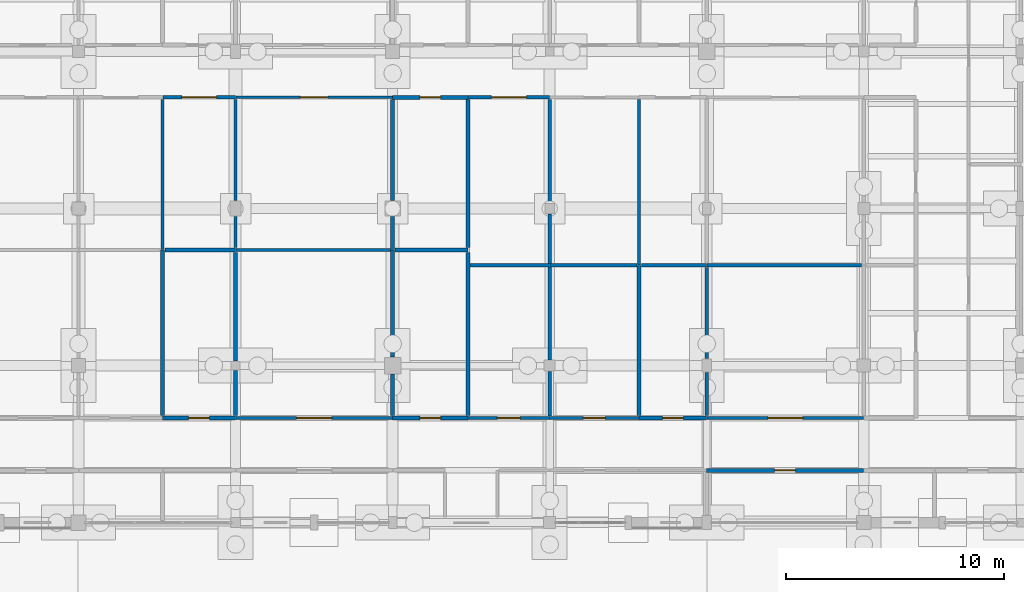
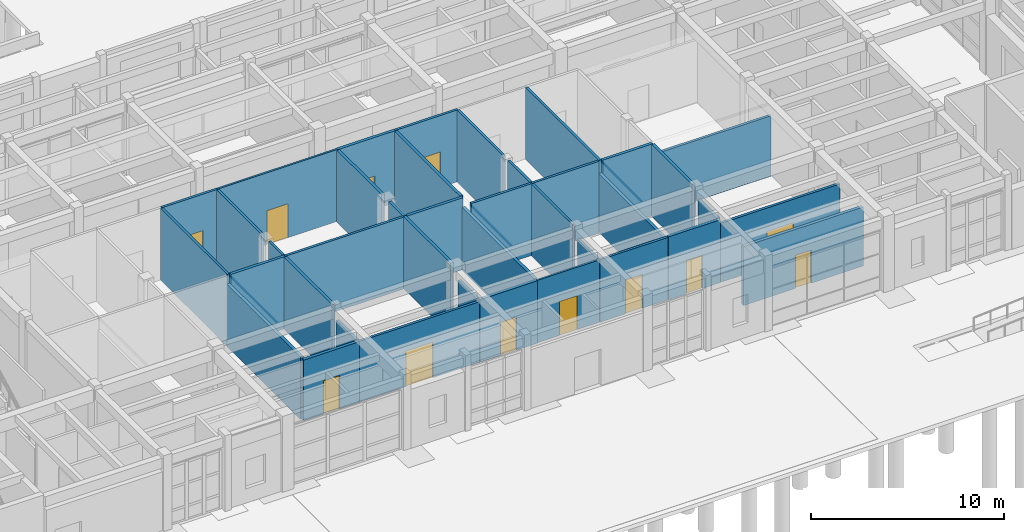
# One storey, part 99 of 143: 39 walls, 12 doors, 12 openings.
"""IFC4 building model written with IfcOpenShell, lengths in metres."""

from ifc_helpers import new_model, si_unit, direction, frame, frame_2d, origin, place, context, subcontext, project, spatial, rectangle, extrude, material, layer, layer_set, type_object, element, fill, save


model = new_model("IFC4")

# Units and contexts
model_context = context("Model", 3, precision=1e-05, world=origin(), true_north=direction((0.0, 1.0)))
body_context = subcontext(model_context, "Body", "Model", "MODEL_VIEW")
ifc_project = project(units=[si_unit("LENGTHUNIT", "METRE"), si_unit("AREAUNIT", "SQUARE_METRE"), si_unit("VOLUMEUNIT", "CUBIC_METRE"), si_unit("PLANEANGLEUNIT", "RADIAN"), si_unit("MASSUNIT", "GRAM", prefix="KILO")], contexts=[model_context])

# Site, building, storey
site_placement = place(None, origin())
site = spatial("IfcSite", under=ifc_project, at=site_placement, CompositionType="ELEMENT")
building_placement = place(site_placement, origin())
building = spatial("IfcBuilding", under=site, at=building_placement, Name="Steenspoor Specialist Clinic", CompositionType="ELEMENT")
storey_placement = place(building_placement, origin())
storey = spatial("IfcBuildingStorey", under=building, at=storey_placement, Name="L00", CompositionType="ELEMENT", Elevation=0.0)

# Wall, opening, door
ifc_material_1 = material(Name="Gypsum acoustic clinical partition", Category="gypsum")
ifc_layer_1 = layer(ifc_material_1, 0.14990234375)
ifc_layer_set_1 = layer_set([ifc_layer_1], Name="Gypsum acoustic clinical partition")
wall_type_1 = type_object("IfcWallType", Name="W-CLIN-150", PredefinedType="PARTITIONING", material=ifc_layer_set_1)
wall_1_placement = place(storey_placement, frame((74.014892578125, 17.85009765625, 0.0), z_axis=(0.0, 0.0, 1.0), x_axis=(1.0, 0.0, 0.0)))
wall_1 = element("IfcWall", 1, at=wall_1_placement, inside=storey, type_object=wall_type_1, Name="Interior Partition IW-V1-L00-0154", PredefinedType="PARTITIONING", context=body_context, shape_type="SweptSolid", body=[
    extrude(rectangle(XDim=7.170166015625, YDim=0.14990234375, at=frame_2d((3.5849609375, 0.0))), origin(), (0.0, 0.0, 1.0), 3.8349609375),
])
opening_1_placement = place(wall_1_placement, frame((2.784912109375, 0.0, 0.0)))
opening_1 = element("IfcOpeningElement", 2, at=opening_1_placement, cuts=wall_1, Name="Opening D0014", PredefinedType="OPENING", context=body_context, shape_type="SweptSolid", body=[
    extrude(rectangle(XDim=1.60009765625, YDim=2.25, at=frame_2d((0.800048828125, 1.125))), frame((0.0, 0.0849609375, 0.0), z_axis=(0.0, -1.0, 0.0), x_axis=(1.0, 0.0, 0.0)), (0.0, 0.0, 1.0), 0.169921875),
])
ifc_material_2 = material(Name="Hygienic HPL clinical timber door", Category="wood")
door_type_1 = type_object("IfcDoorType", Name="DT-PROC-160X225", OperationType="NOTDEFINED", PredefinedType="DOOR", material=ifc_material_2)
door_1_placement = place(opening_1_placement, origin())
door_1 = element("IfcDoor", 3, at=door_1_placement, inside=storey, type_object=door_type_1, Name="Clinical Door D0014", OperationType="SINGLE_SWING_LEFT", OverallHeight=2.25, OverallWidth=1.60009765625, PredefinedType="DOOR", context=body_context, shape_type="SweptSolid", body=[
    extrude(rectangle(XDim=1.60009765625, YDim=2.25, at=frame_2d((0.800048828125, 1.125))), frame((0.0, 0.02490234375, 0.0), z_axis=(0.0, -1.0, 0.0), x_axis=(1.0, 0.0, 0.0)), (0.0, 0.0, 1.0), 0.050048828125),
])
fill(opening_1, door_1)

wall_2_placement = place(storey_placement, frame((95.614990234375, 17.85009765625, 0.0), z_axis=(0.0, 0.0, 1.0), x_axis=(1.0, 0.0, 0.0)))
wall_2 = element("IfcWall", 4, at=wall_2_placement, inside=storey, type_object=wall_type_1, Name="Interior Partition IW-V1-L00-0155", PredefinedType="PARTITIONING", context=body_context, shape_type="SweptSolid", body=[
    extrude(rectangle(XDim=7.169921875, YDim=0.14990234375, at=frame_2d((3.5849609375, 0.0))), origin(), (0.0, 0.0, 1.0), 3.735107421875),
])
opening_2_placement = place(wall_2_placement, frame((2.784912109375, 0.0, 0.0)))
opening_2 = element("IfcOpeningElement", 5, at=opening_2_placement, cuts=wall_2, Name="Opening D0019", PredefinedType="OPENING", context=body_context, shape_type="SweptSolid", body=[
    extrude(rectangle(XDim=1.60009765625, YDim=2.25, at=frame_2d((0.800048828125, 1.125))), frame((0.0, 0.0849609375, 0.0), z_axis=(0.0, -1.0, 0.0), x_axis=(1.0, 0.0, 0.0)), (0.0, 0.0, 1.0), 0.169921875),
])
door_2_placement = place(opening_2_placement, origin())
door_2 = element("IfcDoor", 6, at=door_2_placement, inside=storey, type_object=door_type_1, Name="Clinical Door D0019", OperationType="SINGLE_SWING_RIGHT", OverallHeight=2.25, OverallWidth=1.60009765625, PredefinedType="DOOR", context=body_context, shape_type="SweptSolid", body=[
    extrude(rectangle(XDim=1.60009765625, YDim=2.25, at=frame_2d((0.800048828125, 1.125))), frame((0.0, 0.02490234375, 0.0), z_axis=(0.0, -1.0, 0.0), x_axis=(1.0, 0.0, 0.0)), (0.0, 0.0, 1.0), 0.050048828125),
])
fill(opening_2, door_2)

wall_3_placement = place(storey_placement, frame((84.6650390625, 32.550048828125, 0.0), z_axis=(0.0, 0.0, 1.0), x_axis=(1.0, 0.0, 0.0)))
wall_3 = element("IfcWall", 7, at=wall_3_placement, inside=storey, type_object=wall_type_1, Name="Interior Partition IW-V1-L00-0156", PredefinedType="PARTITIONING", context=body_context, shape_type="SweptSolid", body=[
    extrude(rectangle(XDim=3.73486328125, YDim=0.14990234375, at=frame_2d((1.867431640625, 0.0))), origin(), (0.0, 0.0, 1.0), 4.550048828125),
])
opening_3_placement = place(wall_3_placement, frame((1.0673828125, 0.0, 0.0)))
opening_3 = element("IfcOpeningElement", 8, at=opening_3_placement, cuts=wall_3, Name="Opening D0023", PredefinedType="OPENING", context=body_context, shape_type="SweptSolid", body=[
    extrude(rectangle(XDim=1.60009765625, YDim=2.25, at=frame_2d((0.800048828125, 1.125))), frame((0.0, 0.0849609375, 0.0), z_axis=(0.0, -1.0, 0.0), x_axis=(1.0, 0.0, 0.0)), (0.0, 0.0, 1.0), 0.169921875),
])
door_3_placement = place(opening_3_placement, origin())
door_3 = element("IfcDoor", 9, at=door_3_placement, inside=storey, type_object=door_type_1, Name="Clinical Door D0023", OperationType="SINGLE_SWING_RIGHT", OverallHeight=2.25, OverallWidth=1.60009765625, PredefinedType="DOOR", context=body_context, shape_type="SweptSolid", body=[
    extrude(rectangle(XDim=1.60009765625, YDim=2.25, at=frame_2d((0.800048828125, 1.125))), frame((0.0, 0.02490234375, 0.0), z_axis=(0.0, -1.0, 0.0), x_axis=(1.0, 0.0, 0.0)), (0.0, 0.0, 1.0), 0.050048828125),
])
fill(opening_3, door_3)

wall_4_placement = place(storey_placement, frame((88.39990234375, 17.85009765625, 0.0), z_axis=(0.0, 0.0, 1.0), x_axis=(1.0, 0.0, 0.0)))
wall_4 = element("IfcWall", 10, at=wall_4_placement, inside=storey, type_object=wall_type_1, Name="Interior Partition IW-V1-L00-0173", PredefinedType="PARTITIONING", context=body_context, shape_type="SweptSolid", body=[
    extrude(rectangle(XDim=4.085205078125, YDim=0.14990234375, at=frame_2d((2.04248046875, 0.0))), origin(), (0.0, 0.0, 1.0), 3.955078125),
])
opening_4_placement = place(wall_4_placement, frame((1.54248046875, 0.0, 0.0)))
opening_4 = element("IfcOpeningElement", 11, at=opening_4_placement, cuts=wall_4, Name="Opening D0017", PredefinedType="OPENING", context=body_context, shape_type="SweptSolid", body=[
    extrude(rectangle(XDim=1.0, YDim=2.14990234375, at=frame_2d((0.5, 1.074951171875))), frame((0.0, 0.0849609375, 0.0), z_axis=(0.0, -1.0, 0.0), x_axis=(1.0, 0.0, 0.0)), (0.0, 0.0, 1.0), 0.169921875),
])
ifc_material_3 = material(Name="Moisture-resistant HPL accessible WC door", Category="wood")
door_type_2 = type_object("IfcDoorType", Name="DT-AWC-100X215", OperationType="NOTDEFINED", PredefinedType="DOOR", material=ifc_material_3)
door_4_placement = place(opening_4_placement, origin())
door_4 = element("IfcDoor", 12, at=door_4_placement, inside=storey, type_object=door_type_2, Name="Clinical Door D0017", OperationType="SINGLE_SWING_RIGHT", OverallHeight=2.14990234375, OverallWidth=1.0, PredefinedType="DOOR", context=body_context, shape_type="SweptSolid", body=[
    extrude(rectangle(XDim=1.0, YDim=2.14990234375, at=frame_2d((0.5, 1.074951171875))), frame((0.0, 0.02490234375, 0.0), z_axis=(0.0, -1.0, 0.0), x_axis=(1.0, 0.0, 0.0)), (0.0, 0.0, 1.0), 0.050048828125),
])
fill(opening_4, door_4)

wall_5_placement = place(storey_placement, frame((70.6650390625, 32.550048828125, 0.0), z_axis=(0.0, 0.0, 1.0), x_axis=(1.0, 0.0, 0.0)))
wall_5 = element("IfcWall", 13, at=wall_5_placement, inside=storey, type_object=wall_type_1, Name="Interior Partition IW-V1-L00-0180", PredefinedType="PARTITIONING", context=body_context, shape_type="SweptSolid", body=[
    extrude(rectangle(XDim=3.3349609375, YDim=0.14990234375, at=frame_2d((1.66748046875, 0.0))), origin(), (0.0, 0.0, 1.0), 4.550048828125),
])
opening_5_placement = place(wall_5_placement, frame((0.867431640625, 0.0, 0.0)))
opening_5 = element("IfcOpeningElement", 14, at=opening_5_placement, cuts=wall_5, Name="Opening D0031", PredefinedType="OPENING", context=body_context, shape_type="SweptSolid", body=[
    extrude(rectangle(XDim=1.60009765625, YDim=2.25, at=frame_2d((0.800048828125, 1.125))), frame((0.0, 0.0849609375, 0.0), z_axis=(0.0, -1.0, 0.0), x_axis=(1.0, 0.0, 0.0)), (0.0, 0.0, 1.0), 0.169921875),
])
door_5_placement = place(opening_5_placement, origin())
door_5 = element("IfcDoor", 15, at=door_5_placement, inside=storey, type_object=door_type_1, Name="Clinical Door D0031", OperationType="SINGLE_SWING_RIGHT", OverallHeight=2.25, OverallWidth=1.60009765625, PredefinedType="DOOR", context=body_context, shape_type="SweptSolid", body=[
    extrude(rectangle(XDim=1.60009765625, YDim=2.25, at=frame_2d((0.800048828125, 1.125))), frame((0.0, 0.02490234375, 0.0), z_axis=(0.0, -1.0, 0.0), x_axis=(1.0, 0.0, 0.0)), (0.0, 0.0, 1.0), 0.050048828125),
])
fill(opening_5, door_5)

# Walls
wall_6_placement = place(storey_placement, frame((74.014892578125, 25.550048828125, 0.0), z_axis=(0.0, 0.0, 1.0), x_axis=(1.0, 0.0, 0.0)))
element("IfcWall", 16, at=wall_6_placement, inside=storey, type_object=wall_type_1, Name="Interior Partition IW-V1-L00-0536", PredefinedType="PARTITIONING", context=body_context, shape_type="SweptSolid", body=[
    extrude(rectangle(XDim=7.080078125, YDim=0.14990234375, at=frame_2d((3.5400390625, 0.0))), origin(), (0.0, 0.0, 1.0), 4.550048828125),
])
wall_7_placement = place(storey_placement, frame((84.7548828125, 24.85009765625, 0.0), z_axis=(0.0, 0.0, 1.0), x_axis=(1.0, 0.0, 0.0)))
element("IfcWall", 17, at=wall_7_placement, inside=storey, type_object=wall_type_1, Name="Interior Partition IW-V1-L00-0537", PredefinedType="PARTITIONING", context=body_context, shape_type="SweptSolid", body=[
    extrude(rectangle(XDim=3.64501953125, YDim=0.14990234375, at=frame_2d((1.822509765625, 0.0))), origin(), (0.0, 0.0, 1.0), 4.550048828125),
])
wall_8_placement = place(storey_placement, frame((95.614990234375, 24.85009765625, 0.0), z_axis=(0.0, 0.0, 1.0), x_axis=(1.0, 0.0, 0.0)))
element("IfcWall", 18, at=wall_8_placement, inside=storey, type_object=wall_type_1, Name="Interior Partition IW-V1-L00-0538", PredefinedType="PARTITIONING", context=body_context, shape_type="SweptSolid", body=[
    extrude(rectangle(XDim=7.080078125, YDim=0.14990234375, at=frame_2d((3.5400390625, 0.0))), origin(), (0.0, 0.0, 1.0), 3.8349609375),
])
wall_9_placement = place(storey_placement, frame((88.39990234375, 24.93994140625, 0.0), z_axis=(0.0, 0.0, 1.0), x_axis=(0.0, 1.0, 0.0)))
element("IfcWall", 19, at=wall_9_placement, inside=storey, type_object=wall_type_1, Name="Interior Partition IW-V1-L00-0539", PredefinedType="PARTITIONING", context=body_context, shape_type="SweptSolid", body=[
    extrude(rectangle(XDim=2.27001953125, YDim=0.14990234375, at=frame_2d((1.135009765625, 0.0))), origin(), (0.0, 0.0, 1.0), 4.550048828125),
])
wall_10_placement = place(storey_placement, frame((88.39990234375, 27.68994140625, 0.0), z_axis=(0.0, 0.0, 1.0), x_axis=(0.0, 1.0, 0.0)))
element("IfcWall", 20, at=wall_10_placement, inside=storey, type_object=wall_type_1, Name="Interior Partition IW-V1-L00-0540", PredefinedType="PARTITIONING", context=body_context, shape_type="SweptSolid", body=[
    extrude(rectangle(XDim=4.77001953125, YDim=0.14990234375, at=frame_2d((2.385009765625, 0.0))), origin(), (0.0, 0.0, 1.0), 4.550048828125),
])
wall_11_placement = place(storey_placement, frame((70.64990234375, 25.56494140625, 0.0), z_axis=(0.0, 0.0, 1.0), x_axis=(0.0, 1.0, 0.0)))
element("IfcWall", 21, at=wall_11_placement, inside=storey, type_object=wall_type_1, Name="Interior Partition IW-V1-L00-0543", PredefinedType="PARTITIONING", context=body_context, shape_type="SweptSolid", body=[
    extrude(rectangle(XDim=6.89501953125, YDim=0.14990234375, at=frame_2d((3.447509765625, 0.0))), origin(), (0.0, 0.0, 1.0), 4.550048828125),
])
wall_12_placement = place(storey_placement, frame((88.39990234375, 17.93994140625, 0.0), z_axis=(0.0, 0.0, 1.0), x_axis=(0.0, 1.0, 0.0)))
element("IfcWall", 22, at=wall_12_placement, inside=storey, type_object=wall_type_1, Name="Interior Partition IW-V1-L00-0551", PredefinedType="PARTITIONING", context=body_context, shape_type="SweptSolid", body=[
    extrude(rectangle(XDim=2.045166015625, YDim=0.14990234375, at=frame_2d((1.0224609375, 0.0))), origin(), (0.0, 0.0, 1.0), 3.955078125),
])
wall_13_placement = place(storey_placement, frame((88.39990234375, 20.514892578125, 0.0), z_axis=(0.0, 0.0, 1.0), x_axis=(0.0, 1.0, 0.0)))
element("IfcWall", 23, at=wall_13_placement, inside=storey, type_object=wall_type_1, Name="Interior Partition IW-V1-L00-0552", PredefinedType="PARTITIONING", context=body_context, shape_type="SweptSolid", body=[
    extrude(rectangle(XDim=4.2451171875, YDim=0.14990234375, at=frame_2d((2.12255859375, 0.0))), origin(), (0.0, 0.0, 1.0), 4.550048828125),
])
wall_14_placement = place(storey_placement, frame((88.4150390625, 24.85009765625, 0.0), z_axis=(0.0, 0.0, 1.0), x_axis=(1.0, 0.0, 0.0)))
element("IfcWall", 24, at=wall_14_placement, inside=storey, type_object=wall_type_1, Name="Interior Partition IW-V1-L00-0553", PredefinedType="PARTITIONING", context=body_context, shape_type="SweptSolid", body=[
    extrude(rectangle(XDim=3.97998046875, YDim=0.14990234375, at=frame_2d((1.989990234375, 0.0))), origin(), (0.0, 0.0, 1.0), 4.550048828125),
])
wall_15_placement = place(storey_placement, frame((92.5, 24.864990234375, 0.0), z_axis=(0.0, 0.0, 1.0), x_axis=(0.0, 1.0, 0.0)))
element("IfcWall", 25, at=wall_15_placement, inside=storey, type_object=wall_type_1, Name="Interior Partition IW-V1-L00-0560", PredefinedType="PARTITIONING", context=body_context, shape_type="SweptSolid", body=[
    extrude(rectangle(XDim=7.594970703125, YDim=0.14990234375, at=frame_2d((3.79736328125, 0.0))), origin(), (0.0, 0.0, 1.0), 4.550048828125),
])
wall_16_placement = place(storey_placement, frame((74.0, 25.655029296875, 0.0), z_axis=(0.0, 0.0, 1.0), x_axis=(0.0, 1.0, 0.0)))
element("IfcWall", 26, at=wall_16_placement, inside=storey, type_object=wall_type_1, Name="Interior Partition IW-V1-L00-0563", PredefinedType="PARTITIONING", context=body_context, shape_type="SweptSolid", body=[
    extrude(rectangle(XDim=1.429931640625, YDim=0.14990234375, at=frame_2d((0.71484375, 0.0))), origin(), (0.0, 0.0, 1.0), 4.550048828125),
])
wall_17_placement = place(storey_placement, frame((74.0, 27.81494140625, 0.0), z_axis=(0.0, 0.0, 1.0), x_axis=(0.0, 1.0, 0.0)))
element("IfcWall", 27, at=wall_17_placement, inside=storey, type_object=wall_type_1, Name="Interior Partition IW-V1-L00-0564", PredefinedType="PARTITIONING", context=body_context, shape_type="SweptSolid", body=[
    extrude(rectangle(XDim=4.64501953125, YDim=0.14990234375, at=frame_2d((2.322509765625, 0.0))), origin(), (0.0, 0.0, 1.0), 4.550048828125),
])

# Wall, opening, door
ifc_material_4 = material(Name="Gypsum studio partition board", Category="gypsum")
ifc_layer_2 = layer(ifc_material_4, 0.1201171875)
ifc_layer_set_2 = layer_set([ifc_layer_2], Name="Gypsum studio partition board")
wall_type_2 = type_object("IfcWallType", Name="W-PART-120", PredefinedType="PARTITIONING", material=ifc_layer_set_2)
wall_18_placement = place(storey_placement, frame((84.6650390625, 17.85009765625, 0.0), z_axis=(0.0, 0.0, 1.0), x_axis=(1.0, 0.0, 0.0)))
wall_18 = element("IfcWall", 28, at=wall_18_placement, inside=storey, type_object=wall_type_2, Name="Interior Partition IW-V1-L00-0296", PredefinedType="PARTITIONING", context=body_context, shape_type="SweptSolid", body=[
    extrude(rectangle(XDim=3.719970703125, YDim=0.1201171875, at=frame_2d((1.85986328125, 0.0))), origin(), (0.0, 0.0, 1.0), 3.955078125),
])
opening_6_placement = place(wall_18_placement, frame((1.3349609375, 0.0, 0.0)))
opening_6 = element("IfcOpeningElement", 29, at=opening_6_placement, cuts=wall_18, Name="Opening D0016", PredefinedType="OPENING", context=body_context, shape_type="SweptSolid", body=[
    extrude(rectangle(XDim=1.050048828125, YDim=2.14990234375, at=frame_2d((0.52490234375, 1.074951171875))), frame((0.0, 0.070068359375, 0.0), z_axis=(0.0, -1.0, 0.0), x_axis=(1.0, 0.0, 0.0)), (0.0, 0.0, 1.0), 0.14013671875),
])
ifc_material_5 = material(Name="Solid-core hardwood office door", Category="wood")
door_type_3 = type_object("IfcDoorType", Name="DT-OFF-105X215", OperationType="NOTDEFINED", PredefinedType="DOOR", material=ifc_material_5)
door_6_placement = place(opening_6_placement, origin())
door_6 = element("IfcDoor", 30, at=door_6_placement, inside=storey, type_object=door_type_3, Name="Clinical Door D0016", OperationType="SINGLE_SWING_LEFT", OverallHeight=2.14990234375, OverallWidth=1.050048828125, PredefinedType="DOOR", context=body_context, shape_type="SweptSolid", body=[
    extrude(rectangle(XDim=1.050048828125, YDim=2.14990234375, at=frame_2d((0.52490234375, 1.074951171875))), frame((0.0, 0.02490234375, 0.0), z_axis=(0.0, -1.0, 0.0), x_axis=(1.0, 0.0, 0.0)), (0.0, 0.0, 1.0), 0.050048828125),
])
fill(opening_6, door_6)

wall_19_placement = place(storey_placement, frame((74.014892578125, 32.550048828125, 0.0), z_axis=(0.0, 0.0, 1.0), x_axis=(1.0, 0.0, 0.0)))
wall_19 = element("IfcWall", 31, at=wall_19_placement, inside=storey, type_object=wall_type_2, Name="Interior Partition IW-V1-L00-0300", PredefinedType="PARTITIONING", context=body_context, shape_type="SweptSolid", body=[
    extrude(rectangle(XDim=7.170166015625, YDim=0.1201171875, at=frame_2d((3.5849609375, 0.0))), origin(), (0.0, 0.0, 1.0), 4.550048828125),
])
opening_7_placement = place(wall_19_placement, frame((2.9599609375, 0.0, 0.0)))
opening_7 = element("IfcOpeningElement", 32, at=opening_7_placement, cuts=wall_19, Name="Opening D0032", PredefinedType="OPENING", context=body_context, shape_type="SweptSolid", body=[
    extrude(rectangle(XDim=1.25, YDim=2.14990234375, at=frame_2d((0.625, 1.074951171875))), frame((0.0, 0.070068359375, 0.0), z_axis=(0.0, -1.0, 0.0), x_axis=(1.0, 0.0, 0.0)), (0.0, 0.0, 1.0), 0.14013671875),
])
door_type_4 = type_object("IfcDoorType", Name="DT-EXAM-125X215", OperationType="NOTDEFINED", PredefinedType="DOOR", material=ifc_material_2)
door_7_placement = place(opening_7_placement, origin())
door_7 = element("IfcDoor", 33, at=door_7_placement, inside=storey, type_object=door_type_4, Name="Clinical Door D0032", OperationType="SINGLE_SWING_LEFT", OverallHeight=2.14990234375, OverallWidth=1.25, PredefinedType="DOOR", context=body_context, shape_type="SweptSolid", body=[
    extrude(rectangle(XDim=1.25, YDim=2.14990234375, at=frame_2d((0.625, 1.074951171875))), frame((0.0, 0.02490234375, 0.0), z_axis=(0.0, -1.0, 0.0), x_axis=(1.0, 0.0, 0.0)), (0.0, 0.0, 1.0), 0.050048828125),
])
fill(opening_7, door_7)

ifc_material_6 = material(Name="Moisture-resistant gypsum plumbing wall", Category="gypsum")
ifc_layer_3 = layer(ifc_material_6, 0.179931640625)
ifc_layer_set_3 = layer_set([ifc_layer_3], Name="Moisture-resistant gypsum plumbing wall")
wall_type_3 = type_object("IfcWallType", Name="W-PLUMB-180", PredefinedType="PLUMBINGWALL", material=ifc_layer_set_3)
wall_20_placement = place(storey_placement, frame((95.60009765625, 15.449951171875, 0.0), z_axis=(0.0, 0.0, 1.0), x_axis=(1.0, 0.0, 0.0)))
wall_20 = element("IfcWall", 34, at=wall_20_placement, inside=storey, type_object=wall_type_3, Name="Interior Partition IW-V1-L00-0117", PredefinedType="PLUMBINGWALL", context=body_context, shape_type="SweptSolid", body=[
    extrude(rectangle(XDim=7.184814453125, YDim=0.179931640625, at=frame_2d((3.59228515625, 0.0))), origin(), (0.0, 0.0, 1.0), 3.735107421875),
])
opening_8_placement = place(wall_20_placement, frame((3.117431640625, 0.0, 0.0)))
opening_8 = element("IfcOpeningElement", 35, at=opening_8_placement, cuts=wall_20, Name="Opening D0007", PredefinedType="OPENING", context=body_context, shape_type="SweptSolid", body=[
    extrude(rectangle(XDim=0.949951171875, YDim=2.10009765625, at=frame_2d((0.47509765625, 1.050048828125))), frame((0.0, 0.10009765625, 0.0), z_axis=(0.0, -1.0, 0.0), x_axis=(1.0, 0.0, 0.0)), (0.0, 0.0, 1.0), 0.199951171875),
])
ifc_material_7 = material(Name="Moisture-resistant HPL sanitary door", Category="wood")
door_type_5 = type_object("IfcDoorType", Name="DT-WC-095X210", OperationType="NOTDEFINED", PredefinedType="DOOR", material=ifc_material_7)
door_8_placement = place(opening_8_placement, origin())
door_8 = element("IfcDoor", 36, at=door_8_placement, inside=storey, type_object=door_type_5, Name="Clinical Door D0007", OperationType="SINGLE_SWING_RIGHT", OverallHeight=2.10009765625, OverallWidth=0.949951171875, PredefinedType="DOOR", context=body_context, shape_type="SweptSolid", body=[
    extrude(rectangle(XDim=0.949951171875, YDim=2.10009765625, at=frame_2d((0.47509765625, 1.050048828125))), frame((0.0, 0.02490234375, 0.0), z_axis=(0.0, -1.0, 0.0), x_axis=(1.0, 0.0, 0.0)), (0.0, 0.0, 1.0), 0.050048828125),
])
fill(opening_8, door_8)

wall_21_placement = place(storey_placement, frame((70.64990234375, 17.85009765625, 0.0), z_axis=(0.0, 0.0, 1.0), x_axis=(1.0, 0.0, 0.0)))
wall_21 = element("IfcWall", 37, at=wall_21_placement, inside=storey, type_object=wall_type_3, Name="Interior Partition IW-V1-L00-0121", PredefinedType="PLUMBINGWALL", context=body_context, shape_type="SweptSolid", body=[
    extrude(rectangle(XDim=3.35009765625, YDim=0.179931640625, at=frame_2d((1.675048828125, 0.0))), origin(), (0.0, 0.0, 1.0), 3.8349609375),
])
opening_9_placement = place(wall_21_placement, frame((1.199951171875, 0.0, 0.0)))
opening_9 = element("IfcOpeningElement", 38, at=opening_9_placement, cuts=wall_21, Name="Opening D0013", PredefinedType="OPENING", context=body_context, shape_type="SweptSolid", body=[
    extrude(rectangle(XDim=0.949951171875, YDim=2.10009765625, at=frame_2d((0.47509765625, 1.050048828125))), frame((0.0, 0.10009765625, 0.0), z_axis=(0.0, -1.0, 0.0), x_axis=(1.0, 0.0, 0.0)), (0.0, 0.0, 1.0), 0.199951171875),
])
door_9_placement = place(opening_9_placement, origin())
door_9 = element("IfcDoor", 39, at=door_9_placement, inside=storey, type_object=door_type_5, Name="Clinical Door D0013", OperationType="SINGLE_SWING_RIGHT", OverallHeight=2.10009765625, OverallWidth=0.949951171875, PredefinedType="DOOR", context=body_context, shape_type="SweptSolid", body=[
    extrude(rectangle(XDim=0.949951171875, YDim=2.10009765625, at=frame_2d((0.47509765625, 1.050048828125))), frame((0.0, 0.02490234375, 0.0), z_axis=(0.0, -1.0, 0.0), x_axis=(1.0, 0.0, 0.0)), (0.0, 0.0, 1.0), 0.050048828125),
])
fill(opening_9, door_9)

wall_22_placement = place(storey_placement, frame((81.199951171875, 17.85009765625, 0.0), z_axis=(0.0, 0.0, 1.0), x_axis=(1.0, 0.0, 0.0)))
wall_22 = element("IfcWall", 40, at=wall_22_placement, inside=storey, type_object=wall_type_3, Name="Interior Partition IW-V1-L00-0122", PredefinedType="PLUMBINGWALL", context=body_context, shape_type="SweptSolid", body=[
    extrude(rectangle(XDim=3.449951171875, YDim=0.179931640625, at=frame_2d((1.72509765625, 0.0))), origin(), (0.0, 0.0, 1.0), 3.955078125),
])
opening_10_placement = place(wall_22_placement, frame((1.25, 0.0, 0.0)))
opening_10 = element("IfcOpeningElement", 41, at=opening_10_placement, cuts=wall_22, Name="Opening D0015", PredefinedType="OPENING", context=body_context, shape_type="SweptSolid", body=[
    extrude(rectangle(XDim=0.949951171875, YDim=2.10009765625, at=frame_2d((0.47509765625, 1.050048828125))), frame((0.0, 0.10009765625, 0.0), z_axis=(0.0, -1.0, 0.0), x_axis=(1.0, 0.0, 0.0)), (0.0, 0.0, 1.0), 0.199951171875),
])
door_10_placement = place(opening_10_placement, origin())
door_10 = element("IfcDoor", 42, at=door_10_placement, inside=storey, type_object=door_type_5, Name="Clinical Door D0015", OperationType="SINGLE_SWING_RIGHT", OverallHeight=2.10009765625, OverallWidth=0.949951171875, PredefinedType="DOOR", context=body_context, shape_type="SweptSolid", body=[
    extrude(rectangle(XDim=0.949951171875, YDim=2.10009765625, at=frame_2d((0.47509765625, 1.050048828125))), frame((0.0, 0.02490234375, 0.0), z_axis=(0.0, -1.0, 0.0), x_axis=(1.0, 0.0, 0.0)), (0.0, 0.0, 1.0), 0.050048828125),
])
fill(opening_10, door_10)

wall_23_placement = place(storey_placement, frame((92.5, 17.85009765625, 0.0), z_axis=(0.0, 0.0, 1.0), x_axis=(1.0, 0.0, 0.0)))
wall_23 = element("IfcWall", 43, at=wall_23_placement, inside=storey, type_object=wall_type_3, Name="Interior Partition IW-V1-L00-0123", PredefinedType="PLUMBINGWALL", context=body_context, shape_type="SweptSolid", body=[
    extrude(rectangle(XDim=3.10009765625, YDim=0.179931640625, at=frame_2d((1.550048828125, 0.0))), origin(), (0.0, 0.0, 1.0), 3.985107421875),
])
opening_11_placement = place(wall_23_placement, frame((1.074951171875, 0.0, 0.0)))
opening_11 = element("IfcOpeningElement", 44, at=opening_11_placement, cuts=wall_23, Name="Opening D0018", PredefinedType="OPENING", context=body_context, shape_type="SweptSolid", body=[
    extrude(rectangle(XDim=0.949951171875, YDim=2.10009765625, at=frame_2d((0.47509765625, 1.050048828125))), frame((0.0, 0.10009765625, 0.0), z_axis=(0.0, -1.0, 0.0), x_axis=(1.0, 0.0, 0.0)), (0.0, 0.0, 1.0), 0.199951171875),
])
door_11_placement = place(opening_11_placement, origin())
door_11 = element("IfcDoor", 45, at=door_11_placement, inside=storey, type_object=door_type_5, Name="Clinical Door D0018", OperationType="SINGLE_SWING_LEFT", OverallHeight=2.10009765625, OverallWidth=0.949951171875, PredefinedType="DOOR", context=body_context, shape_type="SweptSolid", body=[
    extrude(rectangle(XDim=0.949951171875, YDim=2.10009765625, at=frame_2d((0.47509765625, 1.050048828125))), frame((0.0, 0.02490234375, 0.0), z_axis=(0.0, -1.0, 0.0), x_axis=(1.0, 0.0, 0.0)), (0.0, 0.0, 1.0), 0.050048828125),
])
fill(opening_11, door_11)

wall_24_placement = place(storey_placement, frame((81.199951171875, 32.550048828125, 0.0), z_axis=(0.0, 0.0, 1.0), x_axis=(1.0, 0.0, 0.0)))
wall_24 = element("IfcWall", 46, at=wall_24_placement, inside=storey, type_object=wall_type_3, Name="Interior Partition IW-V1-L00-0129", PredefinedType="PLUMBINGWALL", context=body_context, shape_type="SweptSolid", body=[
    extrude(rectangle(XDim=3.449951171875, YDim=0.179931640625, at=frame_2d((1.72509765625, 0.0))), origin(), (0.0, 0.0, 1.0), 4.550048828125),
])
opening_12_placement = place(wall_24_placement, frame((1.25, 0.0, 0.0)))
opening_12 = element("IfcOpeningElement", 47, at=opening_12_placement, cuts=wall_24, Name="Opening D0033", PredefinedType="OPENING", context=body_context, shape_type="SweptSolid", body=[
    extrude(rectangle(XDim=0.949951171875, YDim=2.10009765625, at=frame_2d((0.47509765625, 1.050048828125))), frame((0.0, 0.10009765625, 0.0), z_axis=(0.0, -1.0, 0.0), x_axis=(1.0, 0.0, 0.0)), (0.0, 0.0, 1.0), 0.199951171875),
])
door_12_placement = place(opening_12_placement, origin())
door_12 = element("IfcDoor", 48, at=door_12_placement, inside=storey, type_object=door_type_5, Name="Clinical Door D0033", OperationType="SINGLE_SWING_RIGHT", OverallHeight=2.10009765625, OverallWidth=0.949951171875, PredefinedType="DOOR", context=body_context, shape_type="SweptSolid", body=[
    extrude(rectangle(XDim=0.949951171875, YDim=2.10009765625, at=frame_2d((0.47509765625, 1.050048828125))), frame((0.0, 0.02490234375, 0.0), z_axis=(0.0, -1.0, 0.0), x_axis=(1.0, 0.0, 0.0)), (0.0, 0.0, 1.0), 0.050048828125),
])
fill(opening_12, door_12)

# Walls
wall_25_placement = place(storey_placement, frame((70.64990234375, 17.955078125, 0.0), z_axis=(0.0, 0.0, 1.0), x_axis=(0.0, 1.0, 0.0)))
element("IfcWall", 49, at=wall_25_placement, inside=storey, type_object=wall_type_3, Name="Interior Partition IW-V1-L00-0486", PredefinedType="PLUMBINGWALL", context=body_context, shape_type="SweptSolid", body=[
    extrude(rectangle(XDim=7.594970703125, YDim=0.179931640625, at=frame_2d((3.79736328125, 0.0))), origin(), (0.0, 0.0, 1.0), 3.955078125),
])
wall_26_placement = place(storey_placement, frame((70.7548828125, 25.550048828125, 0.0), z_axis=(0.0, 0.0, 1.0), x_axis=(1.0, 0.0, 0.0)))
element("IfcWall", 50, at=wall_26_placement, inside=storey, type_object=wall_type_3, Name="Interior Partition IW-V1-L00-0487", PredefinedType="PLUMBINGWALL", context=body_context, shape_type="SweptSolid", body=[
    extrude(rectangle(XDim=3.2451171875, YDim=0.179931640625, at=frame_2d((1.62255859375, 0.0))), origin(), (0.0, 0.0, 1.0), 4.550048828125),
])
wall_27_placement = place(storey_placement, frame((74.0, 17.955078125, 0.0), z_axis=(0.0, 0.0, 1.0), x_axis=(0.0, 1.0, 0.0)))
element("IfcWall", 51, at=wall_27_placement, inside=storey, type_object=wall_type_3, Name="Interior Partition IW-V1-L00-0488", PredefinedType="PLUMBINGWALL", context=body_context, shape_type="SweptSolid", body=[
    extrude(rectangle(XDim=2.079833984375, YDim=0.179931640625, at=frame_2d((1.0400390625, 0.0))), origin(), (0.0, 0.0, 1.0), 3.8349609375),
])
wall_28_placement = place(storey_placement, frame((74.0, 20.465087890625, 0.0), z_axis=(0.0, 0.0, 1.0), x_axis=(0.0, 1.0, 0.0)))
element("IfcWall", 52, at=wall_28_placement, inside=storey, type_object=wall_type_3, Name="Interior Partition IW-V1-L00-0489", PredefinedType="PLUMBINGWALL", context=body_context, shape_type="SweptSolid", body=[
    extrude(rectangle(XDim=4.97998046875, YDim=0.179931640625, at=frame_2d((2.489990234375, 0.0))), origin(), (0.0, 0.0, 1.0), 4.550048828125),
])
wall_29_placement = place(storey_placement, frame((81.199951171875, 17.955078125, 0.0), z_axis=(0.0, 0.0, 1.0), x_axis=(0.0, 1.0, 0.0)))
element("IfcWall", 53, at=wall_29_placement, inside=storey, type_object=wall_type_3, Name="Interior Partition IW-V1-L00-0490", PredefinedType="PLUMBINGWALL", context=body_context, shape_type="SweptSolid", body=[
    extrude(rectangle(XDim=1.905029296875, YDim=0.179931640625, at=frame_2d((0.95263671875, 0.0))), origin(), (0.0, 0.0, 1.0), 3.955078125),
])
wall_30_placement = place(storey_placement, frame((81.199951171875, 20.639892578125, 0.0), z_axis=(0.0, 0.0, 1.0), x_axis=(0.0, 1.0, 0.0)))
element("IfcWall", 54, at=wall_30_placement, inside=storey, type_object=wall_type_3, Name="Interior Partition IW-V1-L00-0491", PredefinedType="PLUMBINGWALL", context=body_context, shape_type="SweptSolid", body=[
    extrude(rectangle(XDim=4.91015625, YDim=0.179931640625, at=frame_2d((2.455078125, 0.0))), origin(), (0.0, 0.0, 1.0), 4.550048828125),
])
wall_31_placement = place(storey_placement, frame((81.304931640625, 25.550048828125, 0.0), z_axis=(0.0, 0.0, 1.0), x_axis=(1.0, 0.0, 0.0)))
element("IfcWall", 55, at=wall_31_placement, inside=storey, type_object=wall_type_3, Name="Interior Partition IW-V1-L00-0492", PredefinedType="PLUMBINGWALL", context=body_context, shape_type="SweptSolid", body=[
    extrude(rectangle(XDim=3.344970703125, YDim=0.179931640625, at=frame_2d((1.67236328125, 0.0))), origin(), (0.0, 0.0, 1.0), 4.550048828125),
])
wall_32_placement = place(storey_placement, frame((84.64990234375, 17.955078125, 0.0), z_axis=(0.0, 0.0, 1.0), x_axis=(0.0, 1.0, 0.0)))
element("IfcWall", 56, at=wall_32_placement, inside=storey, type_object=wall_type_3, Name="Interior Partition IW-V1-L00-0493", PredefinedType="PLUMBINGWALL", context=body_context, shape_type="SweptSolid", body=[
    extrude(rectangle(XDim=7.489990234375, YDim=0.179931640625, at=frame_2d((3.7451171875, 0.0))), origin(), (0.0, 0.0, 1.0), 3.985107421875),
])
wall_33_placement = place(storey_placement, frame((92.5, 17.955078125, 0.0), z_axis=(0.0, 0.0, 1.0), x_axis=(0.0, 1.0, 0.0)))
element("IfcWall", 57, at=wall_33_placement, inside=storey, type_object=wall_type_3, Name="Interior Partition IW-V1-L00-0494", PredefinedType="PLUMBINGWALL", context=body_context, shape_type="SweptSolid", body=[
    extrude(rectangle(XDim=6.89501953125, YDim=0.179931640625, at=frame_2d((3.447509765625, 0.0))), origin(), (0.0, 0.0, 1.0), 3.735107421875),
])
wall_34_placement = place(storey_placement, frame((92.60498046875, 24.85009765625, 0.0), z_axis=(0.0, 0.0, 1.0), x_axis=(1.0, 0.0, 0.0)))
element("IfcWall", 58, at=wall_34_placement, inside=storey, type_object=wall_type_3, Name="Interior Partition IW-V1-L00-0495", PredefinedType="PLUMBINGWALL", context=body_context, shape_type="SweptSolid", body=[
    extrude(rectangle(XDim=2.9951171875, YDim=0.179931640625, at=frame_2d((1.49755859375, 0.0))), origin(), (0.0, 0.0, 1.0), 4.550048828125),
])
wall_35_placement = place(storey_placement, frame((95.60009765625, 17.955078125, 0.0), z_axis=(0.0, 0.0, 1.0), x_axis=(0.0, 1.0, 0.0)))
element("IfcWall", 59, at=wall_35_placement, inside=storey, type_object=wall_type_3, Name="Interior Partition IW-V1-L00-0496", PredefinedType="PLUMBINGWALL", context=body_context, shape_type="SweptSolid", body=[
    extrude(rectangle(XDim=1.97998046875, YDim=0.179931640625, at=frame_2d((0.989990234375, 0.0))), origin(), (0.0, 0.0, 1.0), 3.985107421875),
])
wall_36_placement = place(storey_placement, frame((95.60009765625, 20.56494140625, 0.0), z_axis=(0.0, 0.0, 1.0), x_axis=(0.0, 1.0, 0.0)))
element("IfcWall", 60, at=wall_36_placement, inside=storey, type_object=wall_type_3, Name="Interior Partition IW-V1-L00-0497", PredefinedType="PLUMBINGWALL", context=body_context, shape_type="SweptSolid", body=[
    extrude(rectangle(XDim=4.18017578125, YDim=0.179931640625, at=frame_2d((2.090087890625, 0.0))), origin(), (0.0, 0.0, 1.0), 4.550048828125),
])
wall_37_placement = place(storey_placement, frame((84.64990234375, 25.655029296875, 0.0), z_axis=(0.0, 0.0, 1.0), x_axis=(0.0, 1.0, 0.0)))
element("IfcWall", 61, at=wall_37_placement, inside=storey, type_object=wall_type_3, Name="Interior Partition IW-V1-L00-0501", PredefinedType="PLUMBINGWALL", context=body_context, shape_type="SweptSolid", body=[
    extrude(rectangle(XDim=6.7900390625, YDim=0.179931640625, at=frame_2d((3.39501953125, 0.0))), origin(), (0.0, 0.0, 1.0), 4.550048828125),
])
wall_38_placement = place(storey_placement, frame((81.199951171875, 25.56494140625, 0.0), z_axis=(0.0, 0.0, 1.0), x_axis=(0.0, 1.0, 0.0)))
element("IfcWall", 62, at=wall_38_placement, inside=storey, type_object=wall_type_3, Name="Interior Partition IW-V1-L00-0505", PredefinedType="PLUMBINGWALL", context=body_context, shape_type="SweptSolid", body=[
    extrude(rectangle(XDim=1.52001953125, YDim=0.179931640625, at=frame_2d((0.760009765625, 0.0))), origin(), (0.0, 0.0, 1.0), 4.550048828125),
])
wall_39_placement = place(storey_placement, frame((81.199951171875, 27.81494140625, 0.0), z_axis=(0.0, 0.0, 1.0), x_axis=(0.0, 1.0, 0.0)))
element("IfcWall", 63, at=wall_39_placement, inside=storey, type_object=wall_type_3, Name="Interior Partition IW-V1-L00-0506", PredefinedType="PLUMBINGWALL", context=body_context, shape_type="SweptSolid", body=[
    extrude(rectangle(XDim=4.630126953125, YDim=0.179931640625, at=frame_2d((2.31494140625, 0.0))), origin(), (0.0, 0.0, 1.0), 4.550048828125),
])

save(model, "model.ifc")
